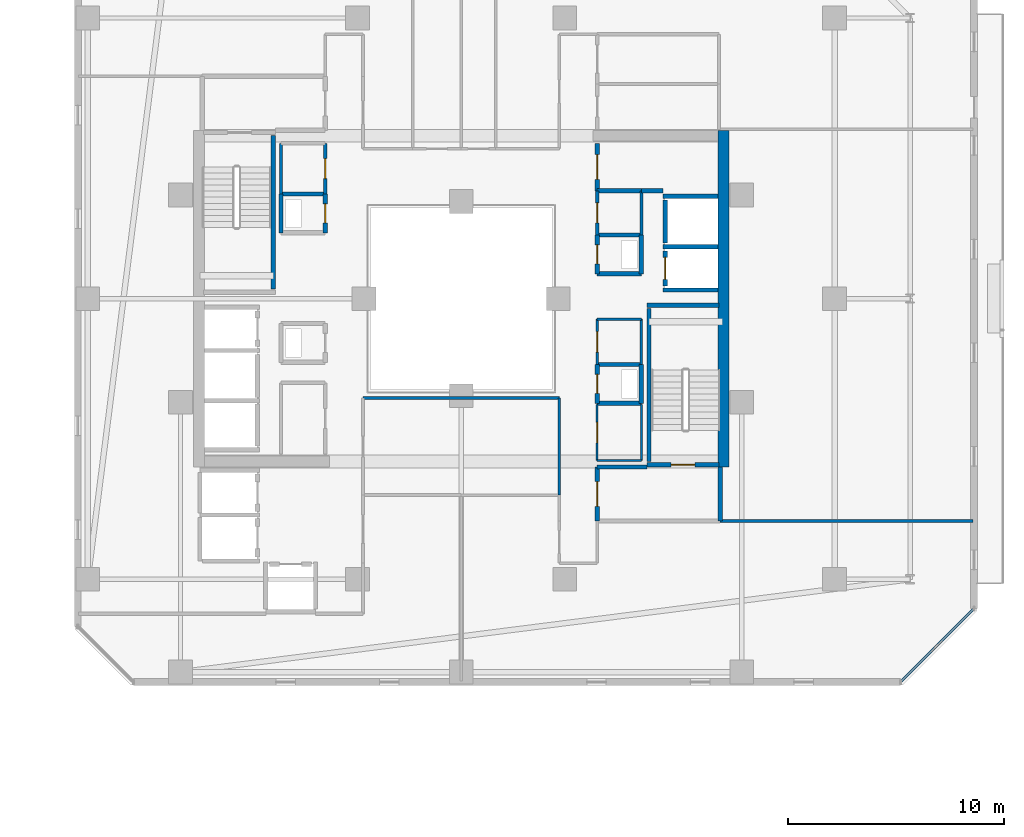
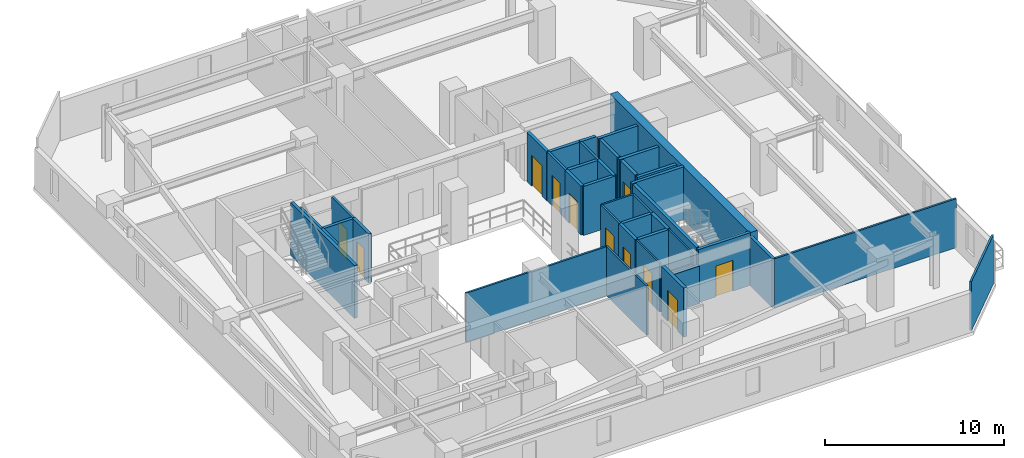
# One storey, part 24 of 33: 41 walls, 11 doors, 11 openings.
"""IFC4 building model written with IfcOpenShell, lengths in metres."""

from ifc_helpers import new_model, si_unit, direction, frame, frame_2d, origin, place, context, subcontext, project, spatial, rectangle, extrude, material, layer, layer_set, type_object, element, fill, save


model = new_model("IFC4")

# Units and contexts
model_context = context("Model", 3, precision=1e-05, world=origin(), true_north=direction((0.0, 1.0)))
body_context = subcontext(model_context, "Body", "Model", "MODEL_VIEW")
ifc_project = project(units=[si_unit("LENGTHUNIT", "METRE"), si_unit("AREAUNIT", "SQUARE_METRE"), si_unit("VOLUMEUNIT", "CUBIC_METRE"), si_unit("PLANEANGLEUNIT", "RADIAN"), si_unit("MASSUNIT", "GRAM", prefix="KILO")], contexts=[model_context])

# Site, building, storey
site_placement = place(None, origin())
site = spatial("IfcSite", under=ifc_project, at=site_placement, CompositionType="ELEMENT")
building_placement = place(site_placement, origin())
building = spatial("IfcBuilding", under=site, at=building_placement, Name="Thornwick Lancets Civic Towers", CompositionType="ELEMENT")
storey_placement = place(building_placement, frame((0.0, 0.0, 159.89990234375)))
storey = spatial("IfcBuildingStorey", under=building, at=storey_placement, Name="L42", CompositionType="ELEMENT", Elevation=159.89990234375)

# Wall, opening, door
ifc_material_1 = material(Name="Concrete blockwork C40/50", Category="masonry")
ifc_layer_1 = layer(ifc_material_1, 0.199951171875, Name="Concrete blockwork C40/50")
ifc_layer_set_1 = layer_set([ifc_layer_1], Name="Concrete blockwork C40/50")
wall_type_1 = type_object("IfcWallType", Name="WALL_COMP_200", PredefinedType="STANDARD", material=ifc_layer_set_1)
wall_1_placement = place(storey_placement, frame((97.949951171875, 29.219970703125, 0.0), z_axis=(0.0, 0.0, 1.0), x_axis=(0.0, -1.0, 0.0)))
wall_1 = element("IfcWall", 1, at=wall_1_placement, inside=storey, type_object=wall_type_1, Name="L42 Hoistway Front Wall FL-B1", PredefinedType="STANDARD", context=body_context, shape_type="SweptSolid", body=[
    extrude(rectangle(XDim=1.639892578125, YDim=0.199951171875, at=frame_2d((0.81982421875, 0.0))), origin(), (0.0, 0.0, 1.0), 3.340087890625),
])
opening_1_placement = place(wall_1_placement, frame((0.31005859375, 0.0, 0.0)))
opening_1 = element("IfcOpeningElement", 2, at=opening_1_placement, cuts=wall_1, Name="Opening LD-FL-B1", PredefinedType="OPENING", context=body_context, shape_type="SweptSolid", body=[
    extrude(rectangle(XDim=1.02001953125, YDim=2.06005859375, at=frame_2d((0.510009765625, 1.030029296875))), frame((0.0, 0.10986328125, 0.0), z_axis=(0.0, -1.0, 0.0), x_axis=(1.0, 0.0, 0.0)), (0.0, 0.0, 1.0), 0.219970703125),
])
ifc_material_2 = material(Name="Brushed bronze stainless steel", Category="steel")
door_type_1 = type_object("IfcDoorType", Name="DOOR_LIFT_SLIDE", OperationType="SLIDING_TO_LEFT", PredefinedType="DOOR", material=ifc_material_2)
door_1_placement = place(opening_1_placement, origin())
door_1 = element("IfcDoor", 3, at=door_1_placement, inside=storey, type_object=door_type_1, Name="L42 Sliding Lift Landing Door LD-FL-B1", OperationType="SLIDING_TO_LEFT", OverallHeight=2.06005859375, OverallWidth=1.02001953125, PredefinedType="DOOR", context=body_context, shape_type="SweptSolid", body=[
    extrude(rectangle(XDim=1.02001953125, YDim=2.06005859375, at=frame_2d((0.510009765625, 1.030029296875))), frame((0.0, 0.02490234375, 0.0), z_axis=(0.0, -1.0, 0.0), x_axis=(1.0, 0.0, 0.0)), (0.0, 0.0, 1.0), 0.050048828125),
])
fill(opening_1, door_1)

# Walls
wall_2_placement = place(storey_placement, frame((97.949951171875, 31.570068359375, 0.0), z_axis=(0.0, 0.0, 1.0), x_axis=(0.0, -1.0, 0.0)))
element("IfcWall", 4, at=wall_2_placement, inside=storey, type_object=wall_type_1, Name="L42 Hoistway Front Wall PL-BH1", PredefinedType="STANDARD", context=body_context, shape_type="SweptSolid", body=[
    extrude(rectangle(XDim=1.989990234375, YDim=0.199951171875, at=frame_2d((0.9951171875, 0.0))), origin(), (0.0, 0.0, 1.0), 3.340087890625),
])
for number, where, z_axis, x_axis, name in (
    (5, (97.85205078125, 29.39990234375, 0.0), (0.0, 0.0, 1.0), (1.0, 0.0, 0.0), "L42 Hoistway Shaft Wall FL-B1 N"),
    (6, (97.85205078125, 27.39990234375, 0.0), (0.0, 0.0, 1.0), (1.0, 0.0, 0.0), "L42 Hoistway Shaft Wall FL-B1 S"),
    (7, (97.85205078125, 31.75, 0.0), (0.0, 0.0, 1.0), (1.0, 0.0, 0.0), "L42 Hoistway Shaft Wall PL-BH1 N"),
):
    element("IfcWall", number, at=place(storey_placement, frame(where, z_axis=z_axis, x_axis=x_axis)), inside=storey, type_object=wall_type_1, Name=name, PredefinedType="STANDARD", context=body_context, shape_type="SweptSolid", body=[
        extrude(rectangle(XDim=2.535888671875, YDim=0.199951171875, at=frame_2d((1.26806640625, 0.0))), origin(), (0.0, 0.0, 1.0), 3.340087890625),
    ])
wall_3_placement = place(storey_placement, frame((100.5, 16.699951171875, 0.0), z_axis=(0.0, 0.0, 1.0), x_axis=(0.0, 1.0, 0.0)))
element("IfcWall", 8, at=wall_3_placement, inside=storey, type_object=wall_type_1, Name="L42 Partition L42-B-FFLOB1 E2", PredefinedType="STANDARD", context=body_context, shape_type="SweptSolid", body=[
    extrude(rectangle(XDim=2.5, YDim=0.199951171875, at=frame_2d((1.25, 0.0))), origin(), (0.0, 0.0, 1.0), 3.340087890625),
])
wall_4_placement = place(storey_placement, frame((97.10009765625, 19.199951171875, 0.0), z_axis=(0.0, 0.0, 1.0), x_axis=(-1.0, 0.0, 0.0)))
element("IfcWall", 9, at=wall_4_placement, inside=storey, type_object=wall_type_1, Name="L42 Partition L42-B-FFLOB1 E3", PredefinedType="STANDARD", context=body_context, shape_type="SweptSolid", body=[
    extrude(rectangle(XDim=2.300048828125, YDim=0.199951171875, at=frame_2d((1.14990234375, 0.0))), origin(), (0.0, 0.0, 1.0), 2.545166015625),
])

# Wall, opening, door
wall_5_placement = place(storey_placement, frame((94.800048828125, 19.199951171875, 0.0), z_axis=(0.0, 0.0, 1.0), x_axis=(0.0, -1.0, 0.0)))
wall_5 = element("IfcWall", 10, at=wall_5_placement, inside=storey, type_object=wall_type_1, Name="L42 Partition L42-B-FFLOB1 E4", PredefinedType="STANDARD", context=body_context, shape_type="SweptSolid", body=[
    extrude(rectangle(XDim=2.5, YDim=0.199951171875, at=frame_2d((1.25, 0.0))), origin(), (0.0, 0.0, 1.0), 3.340087890625),
])
opening_2_placement = place(wall_5_placement, frame((0.675048828125, 0.0, 0.0)))
opening_2 = element("IfcOpeningElement", 11, at=opening_2_placement, cuts=wall_5, Name="Opening D-L42-1877", PredefinedType="OPENING", context=body_context, shape_type="SweptSolid", body=[
    extrude(rectangle(XDim=1.14990234375, YDim=2.10009765625, at=frame_2d((0.574951171875, 1.050048828125))), frame((0.0, 0.10986328125, 0.0), z_axis=(0.0, -1.0, 0.0), x_axis=(1.0, 0.0, 0.0)), (0.0, 0.0, 1.0), 0.219970703125),
])
ifc_material_3 = material(Name="Glazed fire-resisting steel", Category="steel")
door_type_2 = type_object("IfcDoorType", Name="DOOR_LOBBY_FD60", OperationType="NOTDEFINED", PredefinedType="DOOR", material=ifc_material_3)
door_2_placement = place(opening_2_placement, origin())
door_2 = element("IfcDoor", 12, at=door_2_placement, inside=storey, type_object=door_type_2, Name="L42 East Firefighting Lobby 1 Door", OperationType="SINGLE_SWING_RIGHT", OverallHeight=2.10009765625, OverallWidth=1.14990234375, PredefinedType="DOOR", context=body_context, shape_type="SweptSolid", body=[
    extrude(rectangle(XDim=1.14990234375, YDim=2.10009765625, at=frame_2d((0.574951171875, 1.050048828125))), frame((0.0, 0.02490234375, 0.0), z_axis=(0.0, -1.0, 0.0), x_axis=(1.0, 0.0, 0.0)), (0.0, 0.0, 1.0), 0.050048828125),
])
fill(opening_2, door_2)

# Walls
wall_6_placement = place(storey_placement, frame((94.800048828125, 28.14990234375, 0.0), z_axis=(0.0, 0.0, 1.0), x_axis=(1.0, 0.0, 0.0)))
element("IfcWall", 13, at=wall_6_placement, inside=storey, type_object=wall_type_1, Name="L42 Partition L42-B-DUCT1 E1", PredefinedType="STANDARD", context=body_context, shape_type="SweptSolid", body=[
    extrude(rectangle(XDim=2.050048828125, YDim=0.199951171875, at=frame_2d((1.02490234375, 0.0))), origin(), (0.0, 0.0, 1.0), 3.340087890625),
])
wall_7_placement = place(storey_placement, frame((96.85009765625, 28.14990234375, 0.0), z_axis=(0.0, 0.0, 1.0), x_axis=(0.0, 1.0, 0.0)))
element("IfcWall", 14, at=wall_7_placement, inside=storey, type_object=wall_type_1, Name="L42 Partition L42-B-DUCT1 E2", PredefinedType="STANDARD", context=body_context, shape_type="SweptSolid", body=[
    extrude(rectangle(XDim=1.800048828125, YDim=0.199951171875, at=frame_2d((0.89990234375, 0.0))), origin(), (0.0, 0.0, 1.0), 3.340087890625),
])
wall_8_placement = place(storey_placement, frame((96.85009765625, 29.949951171875, 0.0), z_axis=(0.0, 0.0, 1.0), x_axis=(-1.0, 0.0, 0.0)))
element("IfcWall", 15, at=wall_8_placement, inside=storey, type_object=wall_type_1, Name="L42 Partition L42-B-DUCT1 E3", PredefinedType="STANDARD", context=body_context, shape_type="SweptSolid", body=[
    extrude(rectangle(XDim=2.050048828125, YDim=0.199951171875, at=frame_2d((1.02490234375, 0.0))), origin(), (0.0, 0.0, 1.0), 3.340087890625),
])

# Wall, opening, door
wall_9_placement = place(storey_placement, frame((94.800048828125, 29.949951171875, 0.0), z_axis=(0.0, 0.0, 1.0), x_axis=(0.0, -1.0, 0.0)))
wall_9 = element("IfcWall", 16, at=wall_9_placement, inside=storey, type_object=wall_type_1, Name="L42 Partition L42-B-DUCT1 E4", PredefinedType="STANDARD", context=body_context, shape_type="SweptSolid", body=[
    extrude(rectangle(XDim=1.800048828125, YDim=0.199951171875, at=frame_2d((0.89990234375, 0.0))), origin(), (0.0, 0.0, 1.0), 3.340087890625),
])
opening_3_placement = place(wall_9_placement, frame((0.4599609375, 0.0, 0.0)))
opening_3 = element("IfcOpeningElement", 17, at=opening_3_placement, cuts=wall_9, Name="Opening D-L42-1879", PredefinedType="OPENING", context=body_context, shape_type="SweptSolid", body=[
    extrude(rectangle(XDim=0.8798828125, YDim=2.0400390625, at=frame_2d((0.43994140625, 1.02001953125))), frame((0.0, 0.10986328125, 0.0), z_axis=(0.0, -1.0, 0.0), x_axis=(1.0, 0.0, 0.0)), (0.0, 0.0, 1.0), 0.219970703125),
])
ifc_material_4 = material(Name="Steel riser access doorset", Category="steel")
door_type_3 = type_object("IfcDoorType", Name="DOOR_RISER_850", OperationType="NOTDEFINED", PredefinedType="DOOR", material=ifc_material_4)
door_3_placement = place(opening_3_placement, origin())
door_3 = element("IfcDoor", 18, at=door_3_placement, inside=storey, type_object=door_type_3, Name="L42 East Service Duct 1 Door", OperationType="SINGLE_SWING_RIGHT", OverallHeight=2.0400390625, OverallWidth=0.8798828125, PredefinedType="DOOR", context=body_context, shape_type="SweptSolid", body=[
    extrude(rectangle(XDim=0.8798828125, YDim=2.0400390625, at=frame_2d((0.43994140625, 1.02001953125))), frame((0.0, 0.02490234375, 0.0), z_axis=(0.0, -1.0, 0.0), x_axis=(1.0, 0.0, 0.0)), (0.0, 0.0, 1.0), 0.050048828125),
])
fill(opening_3, door_3)

# Walls
wall_10_placement = place(storey_placement, frame((94.800048828125, 22.14990234375, 0.0), z_axis=(0.0, 0.0, 1.0), x_axis=(1.0, 0.0, 0.0)))
element("IfcWall", 19, at=wall_10_placement, inside=storey, type_object=wall_type_1, Name="L42 Partition L42-B-RISER1 E1", PredefinedType="STANDARD", context=body_context, shape_type="SweptSolid", body=[
    extrude(rectangle(XDim=2.050048828125, YDim=0.199951171875, at=frame_2d((1.02490234375, 0.0))), origin(), (0.0, 0.0, 1.0), 3.340087890625),
])
wall_11_placement = place(storey_placement, frame((96.85009765625, 22.14990234375, 0.0), z_axis=(0.0, 0.0, 1.0), x_axis=(0.0, 1.0, 0.0)))
element("IfcWall", 20, at=wall_11_placement, inside=storey, type_object=wall_type_1, Name="L42 Partition L42-B-RISER1 E2", PredefinedType="STANDARD", context=body_context, shape_type="SweptSolid", body=[
    extrude(rectangle(XDim=1.800048828125, YDim=0.199951171875, at=frame_2d((0.89990234375, 0.0))), origin(), (0.0, 0.0, 1.0), 3.340087890625),
])
wall_12_placement = place(storey_placement, frame((96.85009765625, 23.949951171875, 0.0), z_axis=(0.0, 0.0, 1.0), x_axis=(-1.0, 0.0, 0.0)))
element("IfcWall", 21, at=wall_12_placement, inside=storey, type_object=wall_type_1, Name="L42 Partition L42-B-RISER1 E3", PredefinedType="STANDARD", context=body_context, shape_type="SweptSolid", body=[
    extrude(rectangle(XDim=2.050048828125, YDim=0.199951171875, at=frame_2d((1.02490234375, 0.0))), origin(), (0.0, 0.0, 1.0), 3.340087890625),
])

# Wall, opening, door
wall_13_placement = place(storey_placement, frame((94.800048828125, 23.949951171875, 0.0), z_axis=(0.0, 0.0, 1.0), x_axis=(0.0, -1.0, 0.0)))
wall_13 = element("IfcWall", 22, at=wall_13_placement, inside=storey, type_object=wall_type_1, Name="L42 Partition L42-B-RISER1 E4", PredefinedType="STANDARD", context=body_context, shape_type="SweptSolid", body=[
    extrude(rectangle(XDim=1.800048828125, YDim=0.199951171875, at=frame_2d((0.89990234375, 0.0))), origin(), (0.0, 0.0, 1.0), 3.340087890625),
])
opening_4_placement = place(wall_13_placement, frame((0.4599609375, 0.0, 0.0)))
opening_4 = element("IfcOpeningElement", 23, at=opening_4_placement, cuts=wall_13, Name="Opening D-L42-1880", PredefinedType="OPENING", context=body_context, shape_type="SweptSolid", body=[
    extrude(rectangle(XDim=0.8798828125, YDim=2.0400390625, at=frame_2d((0.43994140625, 1.02001953125))), frame((0.0, 0.10986328125, 0.0), z_axis=(0.0, -1.0, 0.0), x_axis=(1.0, 0.0, 0.0)), (0.0, 0.0, 1.0), 0.219970703125),
])
door_4_placement = place(opening_4_placement, origin())
door_4 = element("IfcDoor", 24, at=door_4_placement, inside=storey, type_object=door_type_3, Name="L42 East Electrical Riser 1 Door", OperationType="SINGLE_SWING_LEFT", OverallHeight=2.0400390625, OverallWidth=0.8798828125, PredefinedType="DOOR", context=body_context, shape_type="SweptSolid", body=[
    extrude(rectangle(XDim=0.8798828125, YDim=2.0400390625, at=frame_2d((0.43994140625, 1.02001953125))), frame((0.0, 0.02490234375, 0.0), z_axis=(0.0, -1.0, 0.0), x_axis=(1.0, 0.0, 0.0)), (0.0, 0.0, 1.0), 0.050048828125),
])
fill(opening_4, door_4)

wall_14_placement = place(storey_placement, frame((82.199951171875, 30.050048828125, 0.0), z_axis=(0.0, 0.0, 1.0), x_axis=(0.0, 1.0, 0.0)))
wall_14 = element("IfcWall", 25, at=wall_14_placement, inside=storey, type_object=wall_type_1, Name="L42 Partition L42-B-RISER2 E2", PredefinedType="STANDARD", context=body_context, shape_type="SweptSolid", body=[
    extrude(rectangle(XDim=1.800048828125, YDim=0.199951171875, at=frame_2d((0.89990234375, 0.0))), origin(), (0.0, 0.0, 1.0), 3.340087890625),
])
opening_5_placement = place(wall_14_placement, frame((0.4599609375, 0.0, 0.0)))
opening_5 = element("IfcOpeningElement", 26, at=opening_5_placement, cuts=wall_14, Name="Opening D-L42-1882", PredefinedType="OPENING", context=body_context, shape_type="SweptSolid", body=[
    extrude(rectangle(XDim=0.8798828125, YDim=2.0400390625, at=frame_2d((0.43994140625, 1.02001953125))), frame((0.0, 0.10986328125, 0.0), z_axis=(0.0, -1.0, 0.0), x_axis=(1.0, 0.0, 0.0)), (0.0, 0.0, 1.0), 0.219970703125),
])
door_5_placement = place(opening_5_placement, origin())
door_5 = element("IfcDoor", 27, at=door_5_placement, inside=storey, type_object=door_type_3, Name="L42 West Service Riser 2 Door", OperationType="SINGLE_SWING_LEFT", OverallHeight=2.0400390625, OverallWidth=0.8798828125, PredefinedType="DOOR", context=body_context, shape_type="SweptSolid", body=[
    extrude(rectangle(XDim=0.8798828125, YDim=2.0400390625, at=frame_2d((0.43994140625, 1.02001953125))), frame((0.0, 0.02490234375, 0.0), z_axis=(0.0, -1.0, 0.0), x_axis=(1.0, 0.0, 0.0)), (0.0, 0.0, 1.0), 0.050048828125),
])
fill(opening_5, door_5)

# Walls
wall_15_placement = place(storey_placement, frame((82.199951171875, 31.85009765625, 0.0), z_axis=(0.0, 0.0, 1.0), x_axis=(-1.0, 0.0, 0.0)))
element("IfcWall", 28, at=wall_15_placement, inside=storey, type_object=wall_type_1, Name="L42 Partition L42-B-RISER2 E3", PredefinedType="STANDARD", context=body_context, shape_type="SweptSolid", body=[
    extrude(rectangle(XDim=2.050048828125, YDim=0.199951171875, at=frame_2d((1.02490234375, 0.0))), origin(), (0.0, 0.0, 1.0), 3.340087890625),
])
wall_16_placement = place(storey_placement, frame((80.14990234375, 31.85009765625, 0.0), z_axis=(0.0, 0.0, 1.0), x_axis=(0.0, -1.0, 0.0)))
element("IfcWall", 29, at=wall_16_placement, inside=storey, type_object=wall_type_1, Name="L42 Partition L42-B-RISER2 E4", PredefinedType="STANDARD", context=body_context, shape_type="SweptSolid", body=[
    extrude(rectangle(XDim=1.800048828125, YDim=0.199951171875, at=frame_2d((0.89990234375, 0.0))), origin(), (0.0, 0.0, 1.0), 3.340087890625),
])

# Wall, opening, door
wall_17_placement = place(storey_placement, frame((94.800048828125, 32.0, 0.0), z_axis=(0.0, 0.0, 1.0), x_axis=(0.0, 1.0, 0.0)))
wall_17 = element("IfcWall", 30, at=wall_17_placement, inside=storey, type_object=wall_type_1, Name="L42 Partition L42-B-STR2 E1", PredefinedType="STANDARD", context=body_context, shape_type="SweptSolid", body=[
    extrude(rectangle(XDim=2.199951171875, YDim=0.199951171875, at=frame_2d((1.10009765625, 0.0))), origin(), (0.0, 0.0, 1.0), 3.340087890625),
])
opening_6_placement = place(wall_17_placement, frame((0.52490234375, 0.0, 0.0)))
opening_6 = element("IfcOpeningElement", 31, at=opening_6_placement, cuts=wall_17, Name="Opening D-L42-1886", PredefinedType="OPENING", context=body_context, shape_type="SweptSolid", body=[
    extrude(rectangle(XDim=1.14990234375, YDim=2.10009765625, at=frame_2d((0.574951171875, 1.050048828125))), frame((0.0, 0.10986328125, 0.0), z_axis=(0.0, -1.0, 0.0), x_axis=(1.0, 0.0, 0.0)), (0.0, 0.0, 1.0), 0.219970703125),
])
door_6_placement = place(opening_6_placement, origin())
door_6 = element("IfcDoor", 32, at=door_6_placement, inside=storey, type_object=door_type_2, Name="L42 Tower B Core Supplies Store Door", OperationType="SINGLE_SWING_LEFT", OverallHeight=2.10009765625, OverallWidth=1.14990234375, PredefinedType="DOOR", context=body_context, shape_type="SweptSolid", body=[
    extrude(rectangle(XDim=1.14990234375, YDim=2.10009765625, at=frame_2d((0.574951171875, 1.050048828125))), frame((0.0, 0.02490234375, 0.0), z_axis=(0.0, -1.0, 0.0), x_axis=(1.0, 0.0, 0.0)), (0.0, 0.0, 1.0), 0.050048828125),
])
fill(opening_6, door_6)

# Walls
wall_18_placement = place(storey_placement, frame((97.85205078125, 32.0, 0.0), z_axis=(0.0, 0.0, 1.0), x_axis=(-1.0, 0.0, 0.0)))
element("IfcWall", 33, at=wall_18_placement, inside=storey, type_object=wall_type_1, Name="L42 Partition L42-B-STR2 E4", PredefinedType="STANDARD", context=body_context, shape_type="SweptSolid", body=[
    extrude(rectangle(XDim=1.001953125, YDim=0.199951171875, at=frame_2d((0.5009765625, 0.0))), origin(), (0.0, 0.0, 1.0), 3.340087890625),
])
wall_19_placement = place(storey_placement, frame((96.85009765625, 32.0, 0.0), z_axis=(0.0, 0.0, 1.0), x_axis=(-1.0, 0.0, 0.0)))
element("IfcWall", 34, at=wall_19_placement, inside=storey, type_object=wall_type_1, Name="L42 Partition L42-B-STR2 E5", PredefinedType="STANDARD", context=body_context, shape_type="SweptSolid", body=[
    extrude(rectangle(XDim=2.050048828125, YDim=0.199951171875, at=frame_2d((1.02490234375, 0.0))), origin(), (0.0, 0.0, 1.0), 3.340087890625),
])
ifc_material_5 = material(Name="Concrete C50/60", Category="concrete")
ifc_layer_2 = layer(ifc_material_5, 0.5, Name="Concrete C50/60")
ifc_layer_set_2 = layer_set([ifc_layer_2], Name="Concrete C50/60")
wall_type_2 = type_object("IfcWallType", Name="WALL_CORE_500", PredefinedType="SHEAR", material=ifc_layer_set_2)
wall_20_placement = place(storey_placement, frame((100.64990234375, 19.199951171875, 0.0), z_axis=(0.0, 0.0, 1.0), x_axis=(0.0, 1.0, 0.0)))
element("IfcWall", 35, at=wall_20_placement, inside=storey, type_object=wall_type_2, Name="L42 Split Core B1 Shear Wall E", PredefinedType="SHEAR", context=body_context, shape_type="SweptSolid", body=[
    extrude(rectangle(XDim=15.60009765625, YDim=0.5, at=frame_2d((7.800048828125, 0.0))), origin(), (0.0, 0.0, 1.0), 3.60009765625),
])
ifc_material_6 = material(Name="Lightweight cellular office partition")
ifc_layer_3 = layer(ifc_material_6, 0.10009765625, Name="Lightweight cellular office partition")
ifc_layer_set_3 = layer_set([ifc_layer_3], Name="Lightweight cellular office partition")
wall_type_3 = type_object("IfcWallType", Name="WALL_PART_100", PredefinedType="PARTITIONING", material=ifc_layer_set_3)
wall_21_placement = place(storey_placement, frame((94.800048828125, 19.5, 0.0), z_axis=(0.0, 0.0, 1.0), x_axis=(1.0, 0.0, 0.0)))
element("IfcWall", 36, at=wall_21_placement, inside=storey, type_object=wall_type_3, Name="L42 Partition L42-B-CLN E1", PredefinedType="PARTITIONING", context=body_context, shape_type="SweptSolid", body=[
    extrude(rectangle(XDim=2.050048828125, YDim=0.10009765625, at=frame_2d((1.02490234375, 0.0))), origin(), (0.0, 0.0, 1.0), 2.545166015625),
])
wall_22_placement = place(storey_placement, frame((96.85009765625, 19.5, 0.0), z_axis=(0.0, 0.0, 1.0), x_axis=(0.0, 1.0, 0.0)))
element("IfcWall", 37, at=wall_22_placement, inside=storey, type_object=wall_type_3, Name="L42 Partition L42-B-CLN E2", PredefinedType="PARTITIONING", context=body_context, shape_type="SweptSolid", body=[
    extrude(rectangle(XDim=2.60009765625, YDim=0.10009765625, at=frame_2d((1.300048828125, 0.0))), origin(), (0.0, 0.0, 1.0), 3.340087890625),
])

# Wall, opening, door
wall_23_placement = place(storey_placement, frame((94.800048828125, 22.10009765625, 0.0), z_axis=(0.0, 0.0, 1.0), x_axis=(0.0, -1.0, 0.0)))
wall_23 = element("IfcWall", 38, at=wall_23_placement, inside=storey, type_object=wall_type_3, Name="L42 Partition L42-B-CLN E4", PredefinedType="PARTITIONING", context=body_context, shape_type="SweptSolid", body=[
    extrude(rectangle(XDim=2.60009765625, YDim=0.10009765625, at=frame_2d((1.300048828125, 0.0))), origin(), (0.0, 0.0, 1.0), 3.340087890625),
])
opening_7_placement = place(wall_23_placement, frame((0.824951171875, 0.0, 0.0)))
opening_7 = element("IfcOpeningElement", 39, at=opening_7_placement, cuts=wall_23, Name="Opening D-L42-1883", PredefinedType="OPENING", context=body_context, shape_type="SweptSolid", body=[
    extrude(rectangle(XDim=0.949951171875, YDim=2.10009765625, at=frame_2d((0.47509765625, 1.050048828125))), frame((0.0, 0.06005859375, 0.0), z_axis=(0.0, -1.0, 0.0), x_axis=(1.0, 0.0, 0.0)), (0.0, 0.0, 1.0), 0.1201171875),
])
ifc_material_7 = material(Name="European oak acoustic doorset")
door_type_4 = type_object("IfcDoorType", Name="DOOR_OFFICE_950", OperationType="NOTDEFINED", PredefinedType="DOOR", material=ifc_material_7)
door_7_placement = place(opening_7_placement, origin())
door_7 = element("IfcDoor", 40, at=door_7_placement, inside=storey, type_object=door_type_4, Name="L42 Tower B Cleaners Store Door", OperationType="SINGLE_SWING_RIGHT", OverallHeight=2.10009765625, OverallWidth=0.949951171875, PredefinedType="DOOR", context=body_context, shape_type="SweptSolid", body=[
    extrude(rectangle(XDim=0.949951171875, YDim=2.10009765625, at=frame_2d((0.47509765625, 1.050048828125))), frame((0.0, 0.02490234375, 0.0), z_axis=(0.0, -1.0, 0.0), x_axis=(1.0, 0.0, 0.0)), (0.0, 0.0, 1.0), 0.050048828125),
])
fill(opening_7, door_7)

ifc_material_8 = material(Name="Acoustic gypsum board partition")
ifc_layer_4 = layer(ifc_material_8, 0.1201171875, Name="Acoustic gypsum board partition")
ifc_layer_set_4 = layer_set([ifc_layer_4], Name="Acoustic gypsum board partition")
wall_type_4 = type_object("IfcWallType", Name="WALL_PART_120", PredefinedType="PARTITIONING", material=ifc_layer_set_4)
wall_24_placement = place(storey_placement, frame((94.800048828125, 23.949951171875, 0.0), z_axis=(0.0, 0.0, 1.0), x_axis=(0.0, 1.0, 0.0)))
wall_24 = element("IfcWall", 41, at=wall_24_placement, inside=storey, type_object=wall_type_4, Name="L42 Partition L42-B-ITR E1", PredefinedType="PARTITIONING", context=body_context, shape_type="SweptSolid", body=[
    extrude(rectangle(XDim=2.10009765625, YDim=0.1201171875, at=frame_2d((1.050048828125, 0.0))), origin(), (0.0, 0.0, 1.0), 3.340087890625),
])
opening_8_placement = place(wall_24_placement, frame((0.574951171875, 0.0, 0.0)))
opening_8 = element("IfcOpeningElement", 42, at=opening_8_placement, cuts=wall_24, Name="Opening D-L42-1884", PredefinedType="OPENING", context=body_context, shape_type="SweptSolid", body=[
    extrude(rectangle(XDim=0.949951171875, YDim=2.10009765625, at=frame_2d((0.47509765625, 1.050048828125))), frame((0.0, 0.070068359375, 0.0), z_axis=(0.0, -1.0, 0.0), x_axis=(1.0, 0.0, 0.0)), (0.0, 0.0, 1.0), 0.14013671875),
])
door_8_placement = place(opening_8_placement, origin())
door_8 = element("IfcDoor", 43, at=door_8_placement, inside=storey, type_object=door_type_4, Name="L42 Tower B Comms Patch Room Door", OperationType="SINGLE_SWING_LEFT", OverallHeight=2.10009765625, OverallWidth=0.949951171875, PredefinedType="DOOR", context=body_context, shape_type="SweptSolid", body=[
    extrude(rectangle(XDim=0.949951171875, YDim=2.10009765625, at=frame_2d((0.47509765625, 1.050048828125))), frame((0.0, 0.02490234375, 0.0), z_axis=(0.0, -1.0, 0.0), x_axis=(1.0, 0.0, 0.0)), (0.0, 0.0, 1.0), 0.050048828125),
])
fill(opening_8, door_8)

# Walls
wall_25_placement = place(storey_placement, frame((94.800048828125, 26.050048828125, 0.0), z_axis=(0.0, 0.0, 1.0), x_axis=(1.0, 0.0, 0.0)))
element("IfcWall", 44, at=wall_25_placement, inside=storey, type_object=wall_type_4, Name="L42 Partition L42-B-ITR E2", PredefinedType="PARTITIONING", context=body_context, shape_type="SweptSolid", body=[
    extrude(rectangle(XDim=2.050048828125, YDim=0.1201171875, at=frame_2d((1.02490234375, 0.0))), origin(), (0.0, 0.0, 1.0), 3.340087890625),
])
wall_26_placement = place(storey_placement, frame((96.85009765625, 26.050048828125, 0.0), z_axis=(0.0, 0.0, 1.0), x_axis=(0.0, -1.0, 0.0)))
element("IfcWall", 45, at=wall_26_placement, inside=storey, type_object=wall_type_4, Name="L42 Partition L42-B-ITR E3", PredefinedType="PARTITIONING", context=body_context, shape_type="SweptSolid", body=[
    extrude(rectangle(XDim=2.10009765625, YDim=0.1201171875, at=frame_2d((1.050048828125, 0.0))), origin(), (0.0, 0.0, 1.0), 3.340087890625),
])
wall_27_placement = place(storey_placement, frame((100.5, 16.699951171875, 0.0), z_axis=(0.0, 0.0, 1.0), x_axis=(1.0, 0.0, 0.0)))
element("IfcWall", 46, at=wall_27_placement, inside=storey, type_object=wall_type_4, Name="L42 Partition L42-B-W1 E9", PredefinedType="PARTITIONING", context=body_context, shape_type="SweptSolid", body=[
    extrude(rectangle(XDim=11.719970703125, YDim=0.1201171875, at=frame_2d((5.85986328125, 0.0))), origin(), (0.0, 0.0, 1.0), 3.340087890625),
])
wall_28_placement = place(storey_placement, frame((112.219970703125, 12.605712890625, 0.0), z_axis=(0.0, 0.0, 1.0), x_axis=(-0.707106781187, -0.707106781187, 0.0)))
element("IfcWall", 47, at=wall_28_placement, inside=storey, type_object=wall_type_4, Name="L42 Partition L42-B-W1 E11", PredefinedType="PARTITIONING", context=body_context, shape_type="SweptSolid", body=[
    extrude(rectangle(XDim=4.703125, YDim=0.1201171875, at=frame_2d((2.3515625, 0.0))), origin(), (0.0, 0.0, 1.0), 3.340087890625),
])
wall_29_placement = place(storey_placement, frame((83.949951171875, 22.39990234375, 0.0), z_axis=(0.0, 0.0, 1.0), x_axis=(1.0, 0.0, 0.0)))
element("IfcWall", 48, at=wall_29_placement, inside=storey, type_object=wall_type_4, Name="L42 Partition L42-B-W3 E2", PredefinedType="PARTITIONING", context=body_context, shape_type="SweptSolid", body=[
    extrude(rectangle(XDim=9.10009765625, YDim=0.1201171875, at=frame_2d((4.550048828125, 0.0))), origin(), (0.0, 0.0, 1.0), 3.340087890625),
])
wall_30_placement = place(storey_placement, frame((93.050048828125, 22.39990234375, 0.0), z_axis=(0.0, 0.0, 1.0), x_axis=(0.0, -1.0, 0.0)))
element("IfcWall", 49, at=wall_30_placement, inside=storey, type_object=wall_type_4, Name="L42 Partition L42-B-W3 E3", PredefinedType="PARTITIONING", context=body_context, shape_type="SweptSolid", body=[
    extrude(rectangle(XDim=4.5, YDim=0.1201171875, at=frame_2d((2.25, 0.0))), origin(), (0.0, 0.0, 1.0), 3.340087890625),
])

# Wall, opening, door
ifc_material_9 = material(Name="Twin-stud acoustic gypsum board")
ifc_layer_5 = layer(ifc_material_9, 0.14990234375, Name="Twin-stud acoustic gypsum board")
ifc_layer_set_5 = layer_set([ifc_layer_5], Name="Twin-stud acoustic gypsum board")
wall_type_5 = type_object("IfcWallType", Name="WALL_PART_150", PredefinedType="PARTITIONING", material=ifc_layer_set_5)
wall_31_placement = place(storey_placement, frame((94.800048828125, 29.949951171875, 0.0), z_axis=(0.0, 0.0, 1.0), x_axis=(0.0, 1.0, 0.0)))
wall_31 = element("IfcWall", 50, at=wall_31_placement, inside=storey, type_object=wall_type_5, Name="L42 Partition L42-B-AWC E1", PredefinedType="PARTITIONING", context=body_context, shape_type="SweptSolid", body=[
    extrude(rectangle(XDim=2.050048828125, YDim=0.14990234375, at=frame_2d((1.02490234375, 0.0))), origin(), (0.0, 0.0, 1.0), 3.340087890625),
])
opening_9_placement = place(wall_31_placement, frame((0.56494140625, 0.0, 0.0)))
opening_9 = element("IfcOpeningElement", 51, at=opening_9_placement, cuts=wall_31, Name="Opening D-L42-1885", PredefinedType="OPENING", context=body_context, shape_type="SweptSolid", body=[
    extrude(rectangle(XDim=0.919921875, YDim=2.080078125, at=frame_2d((0.4599609375, 1.0400390625))), frame((0.0, 0.0849609375, 0.0), z_axis=(0.0, -1.0, 0.0), x_axis=(1.0, 0.0, 0.0)), (0.0, 0.0, 1.0), 0.169921875),
])
ifc_material_10 = material(Name="Moisture-resistant oak doorset")
door_type_5 = type_object("IfcDoorType", Name="DOOR_WC_900", OperationType="NOTDEFINED", PredefinedType="DOOR", material=ifc_material_10)
door_9_placement = place(opening_9_placement, origin())
door_9 = element("IfcDoor", 52, at=door_9_placement, inside=storey, type_object=door_type_5, Name="L42 Tower B Accessible WC Door", OperationType="SINGLE_SWING_RIGHT", OverallHeight=2.080078125, OverallWidth=0.919921875, PredefinedType="DOOR", context=body_context, shape_type="SweptSolid", body=[
    extrude(rectangle(XDim=0.919921875, YDim=2.080078125, at=frame_2d((0.4599609375, 1.0400390625))), frame((0.0, 0.02490234375, 0.0), z_axis=(0.0, -1.0, 0.0), x_axis=(1.0, 0.0, 0.0)), (0.0, 0.0, 1.0), 0.050048828125),
])
fill(opening_9, door_9)

# Walls
wall_32_placement = place(storey_placement, frame((96.85009765625, 32.0, 0.0), z_axis=(0.0, 0.0, 1.0), x_axis=(0.0, -1.0, 0.0)))
element("IfcWall", 53, at=wall_32_placement, inside=storey, type_object=wall_type_5, Name="L42 Partition L42-B-AWC E3", PredefinedType="PARTITIONING", context=body_context, shape_type="SweptSolid", body=[
    extrude(rectangle(XDim=2.050048828125, YDim=0.14990234375, at=frame_2d((1.02490234375, 0.0))), origin(), (0.0, 0.0, 1.0), 3.340087890625),
])
wall_33_placement = place(storey_placement, frame((80.14990234375, 31.85009765625, 0.0), z_axis=(0.0, 0.0, 1.0), x_axis=(0.0, 1.0, 0.0)))
element("IfcWall", 54, at=wall_33_placement, inside=storey, type_object=wall_type_5, Name="L42 Partition L42-B-FWC E1", PredefinedType="PARTITIONING", context=body_context, shape_type="SweptSolid", body=[
    extrude(rectangle(XDim=2.349853515625, YDim=0.14990234375, at=frame_2d((1.1748046875, 0.0))), origin(), (0.0, 0.0, 1.0), 3.340087890625),
])

# Wall, opening, door
wall_34_placement = place(storey_placement, frame((82.199951171875, 34.199951171875, 0.0), z_axis=(0.0, 0.0, 1.0), x_axis=(0.0, -1.0, 0.0)))
wall_34 = element("IfcWall", 55, at=wall_34_placement, inside=storey, type_object=wall_type_5, Name="L42 Partition L42-B-FWC E3", PredefinedType="PARTITIONING", context=body_context, shape_type="SweptSolid", body=[
    extrude(rectangle(XDim=2.349853515625, YDim=0.14990234375, at=frame_2d((1.1748046875, 0.0))), origin(), (0.0, 0.0, 1.0), 3.340087890625),
])
opening_10_placement = place(wall_34_placement, frame((0.715087890625, 0.0, 0.0)))
opening_10 = element("IfcOpeningElement", 56, at=opening_10_placement, cuts=wall_34, Name="Opening D-L42-1888", PredefinedType="OPENING", context=body_context, shape_type="SweptSolid", body=[
    extrude(rectangle(XDim=0.919921875, YDim=2.080078125, at=frame_2d((0.4599609375, 1.0400390625))), frame((0.0, 0.0849609375, 0.0), z_axis=(0.0, -1.0, 0.0), x_axis=(1.0, 0.0, 0.0)), (0.0, 0.0, 1.0), 0.169921875),
])
door_10_placement = place(opening_10_placement, origin())
door_10 = element("IfcDoor", 57, at=door_10_placement, inside=storey, type_object=door_type_5, Name="L42 Tower B Female WC Door", OperationType="SINGLE_SWING_LEFT", OverallHeight=2.080078125, OverallWidth=0.919921875, PredefinedType="DOOR", context=body_context, shape_type="SweptSolid", body=[
    extrude(rectangle(XDim=0.919921875, YDim=2.080078125, at=frame_2d((0.4599609375, 1.0400390625))), frame((0.0, 0.02490234375, 0.0), z_axis=(0.0, -1.0, 0.0), x_axis=(1.0, 0.0, 0.0)), (0.0, 0.0, 1.0), 0.050048828125),
])
fill(opening_10, door_10)

ifc_material_11 = material(Name="Concrete C40/50", Category="concrete")
ifc_layer_6 = layer(ifc_material_11, 0.199951171875, Name="Concrete C40/50")
ifc_layer_set_6 = layer_set([ifc_layer_6], Name="Concrete C40/50")
wall_type_6 = type_object("IfcWallType", Name="WALL_SHAFT_200", PredefinedType="SHEAR", material=ifc_layer_set_6)
wall_35_placement = place(storey_placement, frame((100.449951171875, 19.300048828125, 0.0), z_axis=(0.0, 0.0, 1.0), x_axis=(-1.0, 0.0, 0.0)))
wall_35 = element("IfcWall", 58, at=wall_35_placement, inside=storey, type_object=wall_type_6, Name="L42 ST-B1 Fire Stair Core Wall NEAR", PredefinedType="SHEAR", context=body_context, shape_type="SweptSolid", body=[
    extrude(rectangle(XDim=3.349853515625, YDim=0.199951171875, at=frame_2d((1.6748046875, 0.0))), origin(), (0.0, 0.0, 1.0), 3.60009765625),
])
opening_11_placement = place(wall_35_placement, frame((1.125, 0.0, 0.0)))
opening_11 = element("IfcOpeningElement", 59, at=opening_11_placement, cuts=wall_35, Name="Opening D-ST-B1-L42", PredefinedType="OPENING", context=body_context, shape_type="SweptSolid", body=[
    extrude(rectangle(XDim=1.10009765625, YDim=2.10009765625, at=frame_2d((0.550048828125, 1.050048828125))), frame((0.0, 0.10986328125, 0.0), z_axis=(0.0, -1.0, 0.0), x_axis=(1.0, 0.0, 0.0)), (0.0, 0.0, 1.0), 0.219970703125),
])
ifc_material_12 = material(Name="Fire-resisting steel and hardwood", Category="steel")
door_type_6 = type_object("IfcDoorType", Name="DOOR_STAIR_FD60", OperationType="NOTDEFINED", PredefinedType="DOOR", material=ifc_material_12)
door_11_placement = place(opening_11_placement, origin())
door_11 = element("IfcDoor", 60, at=door_11_placement, inside=storey, type_object=door_type_6, Name="L42 ST-B1 Exit Stair Door", OperationType="SINGLE_SWING_RIGHT", OverallHeight=2.10009765625, OverallWidth=1.10009765625, PredefinedType="DOOR", context=body_context, shape_type="SweptSolid", body=[
    extrude(rectangle(XDim=1.10009765625, YDim=2.10009765625, at=frame_2d((0.550048828125, 1.050048828125))), frame((0.0, 0.02490234375, 0.0), z_axis=(0.0, -1.0, 0.0), x_axis=(1.0, 0.0, 0.0)), (0.0, 0.0, 1.0), 0.050048828125),
])
fill(opening_11, door_11)

# Walls
wall_36_placement = place(storey_placement, frame((97.10009765625, 26.699951171875, 0.0), z_axis=(0.0, 0.0, 1.0), x_axis=(1.0, 0.0, 0.0)))
element("IfcWall", 61, at=wall_36_placement, inside=storey, type_object=wall_type_6, Name="L42 ST-B1 Fire Stair Core Wall FAR", PredefinedType="SHEAR", context=body_context, shape_type="SweptSolid", body=[
    extrude(rectangle(XDim=3.349853515625, YDim=0.199951171875, at=frame_2d((1.6748046875, 0.0))), origin(), (0.0, 0.0, 1.0), 3.60009765625),
])
for number, where, z_axis, x_axis, name in (
    (62, (97.202880859375, 26.550048828125, 0.0), (0.0, 0.0, 1.0), (0.0, -1.0, 0.0), "L42 ST-B1 Fire Stair Core Wall RIGHT"),
    (63, (79.797119140625, 27.449951171875, 0.0), (0.0, 0.0, 1.0), (0.0, 1.0, 0.0), "L42 ST-B2 Fire Stair Core Wall RIGHT"),
):
    element("IfcWall", number, at=place(storey_placement, frame(where, z_axis=z_axis, x_axis=x_axis)), inside=storey, type_object=wall_type_6, Name=name, PredefinedType="SHEAR", context=body_context, shape_type="SweptSolid", body=[
        extrude(rectangle(XDim=7.10009765625, YDim=0.199951171875, at=frame_2d((3.550048828125, 0.0))), origin(), (0.0, 0.0, 1.0), 3.60009765625),
    ])

save(model, "model.ifc")
